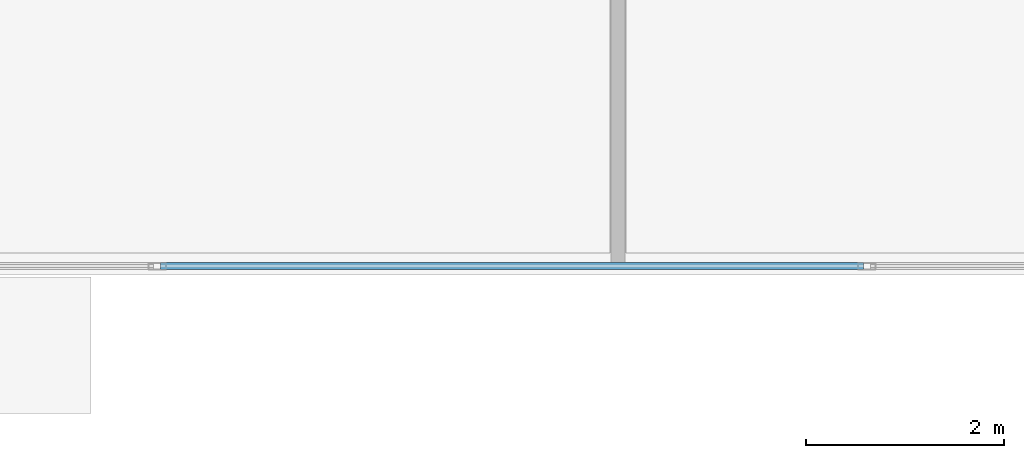
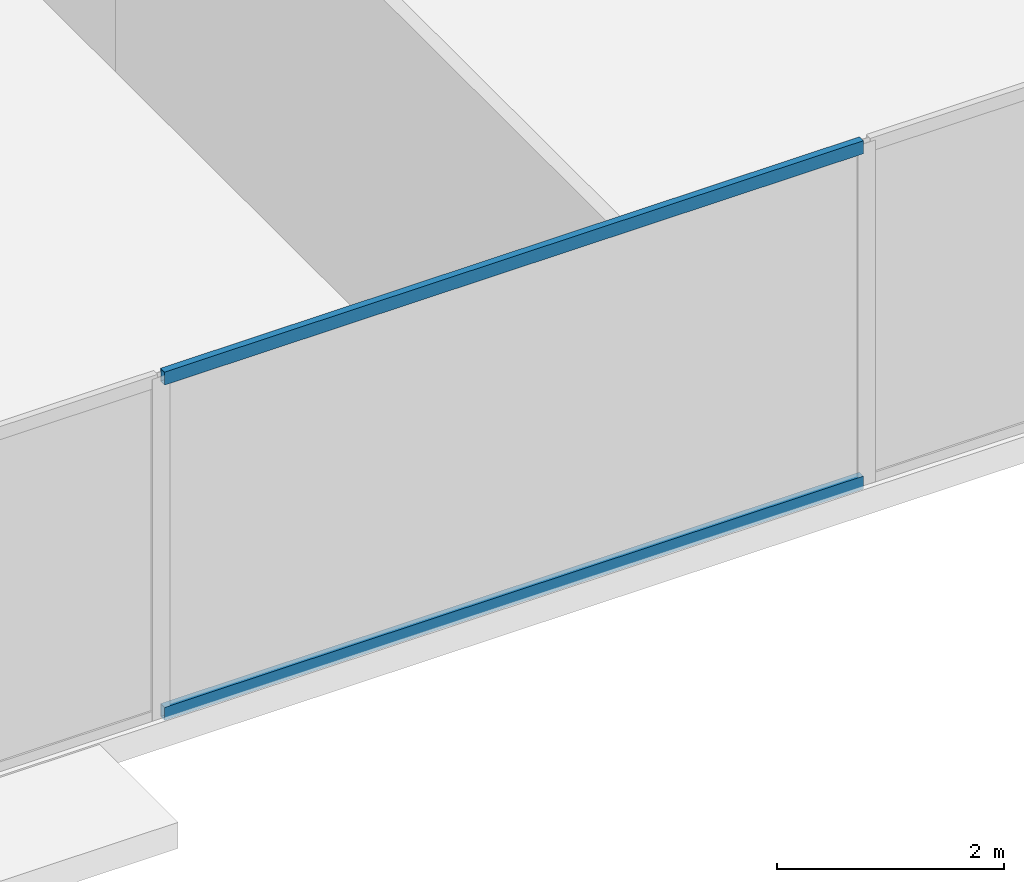
# One storey, part 3 of 30: 2 members, 1 element without a shape of its own.
"""IFC4 building model written with IfcOpenShell, lengths in metres."""

from ifc_helpers import new_model, si_unit, direction, frame, origin, origin_2d, place, context, subcontext, project, spatial, hollow_rectangle, extrude, source, transform, mapped, material, material_profile, profile_set, type_object, type_shapes, element, aggregate, save


model = new_model("IFC4")

# Units and contexts
model_context = context("Model", 3, precision=1e-05, world=origin(), true_north=direction((0.0, 1.0)))
body_context = subcontext(model_context, "Body", "Model", "MODEL_VIEW")
ifc_project = project(units=[si_unit("LENGTHUNIT", "METRE"), si_unit("AREAUNIT", "SQUARE_METRE"), si_unit("VOLUMEUNIT", "CUBIC_METRE"), si_unit("PLANEANGLEUNIT", "RADIAN"), si_unit("MASSUNIT", "GRAM", prefix="KILO")], contexts=[model_context])

# Site, building, storey
site_placement = place(None, origin())
site = spatial("IfcSite", under=ifc_project, at=site_placement, CompositionType="ELEMENT")
building_placement = place(site_placement, origin())
building = spatial("IfcBuilding", under=site, at=building_placement, Name="Krantzveldt Concourse Tower", CompositionType="ELEMENT")
storey_placement = place(building_placement, frame((0.0, 0.0, 25.0)))
storey = spatial("IfcBuildingStorey", under=building, at=storey_placement, Name="L05", CompositionType="ELEMENT", Elevation=25.0)

# Curtain wall, members
ifc_material = material(Name="Anodised aluminium 6063-T6", Category="aluminium")
curtain_wall_type = type_object("IfcCurtainWallType", Name="CW2", PredefinedType="USERDEFINED", material=ifc_material)
curtain_wall_placement = place(storey_placement, origin())
curtain_wall = element("IfcCurtainWall", 1, at=curtain_wall_placement, inside=storey, type_object=curtain_wall_type, Name="CW-L05-F04", ObjectType="UNITISED CURTAIN WALL", PredefinedType="USERDEFINED")
ifc_material_profile = material_profile(ifc_material, hollow_rectangle(XDim=0.070068359375, YDim=0.139892578125, WallThickness=0.0048828125, at=origin_2d()), Name="Anodised aluminium 6063-T6", Category="aluminium")
ifc_profile_set = profile_set([ifc_material_profile], Name="Anodised aluminium 6063-T6 - ALU-TRAN 140x70x5")
member_type = type_object("IfcMemberType", Name="CW-TRN-150", PredefinedType="USERDEFINED", material=ifc_profile_set)
shared_shape = source(origin(), body_context, "Body", "SweptSolid", [
    extrude(hollow_rectangle(XDim=0.070068359375, YDim=0.139892578125, WallThickness=0.0048828125, at=origin_2d()), origin(), (0.0, 0.0, 1.0), 7.0966796875),
])
type_shapes(member_type, [shared_shape])
member_1_placement = place(storey_placement, frame((21.70166015625, 1.7900390625, 0.034912109375), z_axis=(1.0, 0.0, 0.0), x_axis=(0.0, 1.0, 0.0)))
member_1 = element("IfcMember", 2, at=member_1_placement, type_object=member_type, Name="CW-Z12 transom 2.1", ObjectType="TRANSOM", PredefinedType="USERDEFINED", context=body_context, shape_type="MappedRepresentation", body=[
    mapped(shared_shape, transform((0.0, 0.0, 0.0), x_axis=(1.0, 0.0, 0.0), y_axis=(0.0, 1.0, 0.0), z_axis=(0.0, 0.0, 1.0), scale=1.0)),
])
member_2_placement = place(storey_placement, frame((21.70166015625, 1.7900390625, 3.635009765625), z_axis=(1.0, 0.0, 0.0), x_axis=(0.0, 1.0, 0.0)))
member_2 = element("IfcMember", 3, at=member_2_placement, type_object=member_type, Name="CW-Z12 transom 2.2", ObjectType="TRANSOM", PredefinedType="USERDEFINED", context=body_context, shape_type="MappedRepresentation", body=[
    mapped(shared_shape, transform((0.0, 0.0, 0.0), x_axis=(1.0, 0.0, 0.0), y_axis=(0.0, 1.0, 0.0), z_axis=(0.0, 0.0, 1.0), scale=1.0)),
])
aggregate(curtain_wall, [member_1, member_2])

save(model, "model.ifc")
